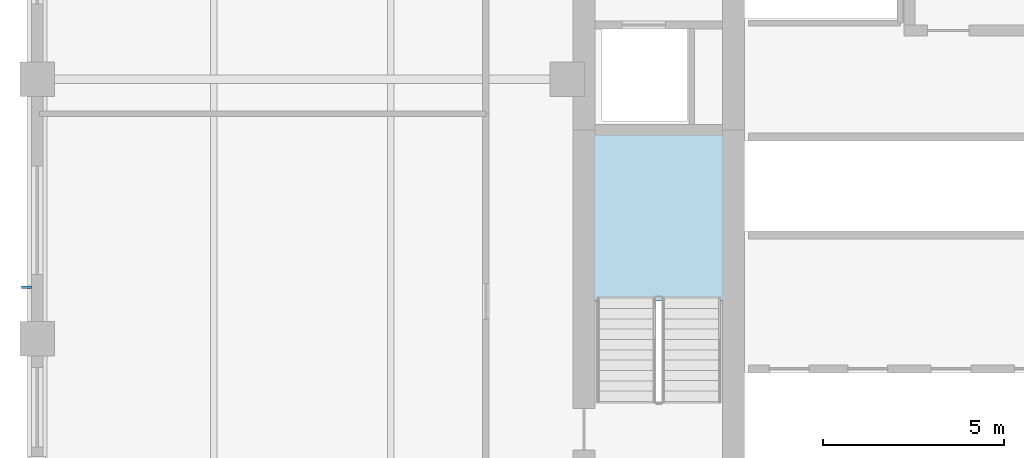
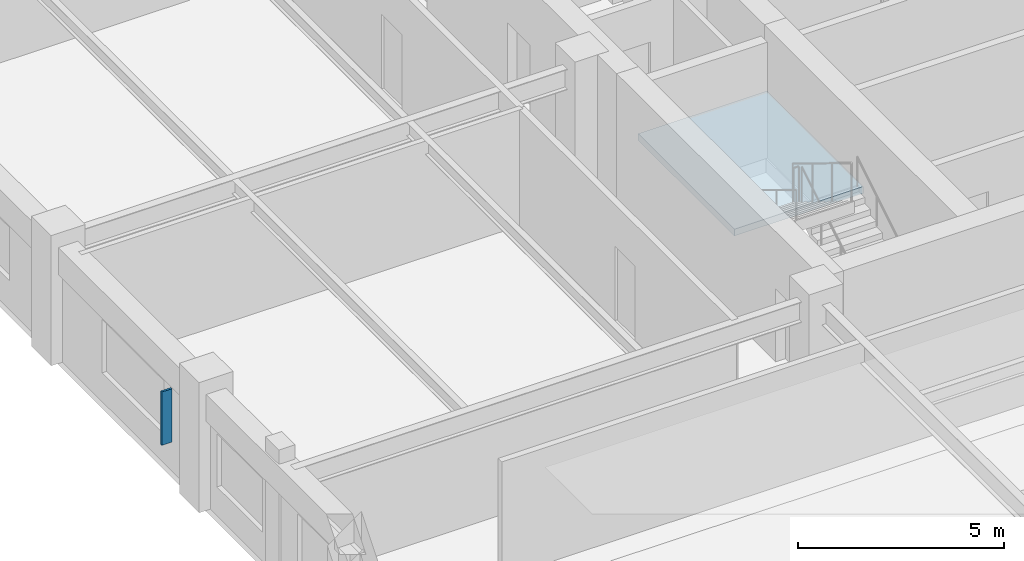
# One storey, part 2 of 12: 1 plate, 1 slab, 1 element without a shape of its own.
"""IFC4 building model written with IfcOpenShell, lengths in metres."""

from ifc_helpers import new_model, si_unit, direction, frame, origin, origin_2d, place, context, subcontext, project, spatial, polyline, rectangle, outline, extrude, material, layer, layer_set, type_object, element, aggregate, save


model = new_model("IFC4")

# Units and contexts
model_context = context("Model", 3, precision=1e-05, world=origin(), true_north=direction((0.0, 1.0)))
body_context = subcontext(model_context, "Body", "Model", "MODEL_VIEW")
ifc_project = project(units=[si_unit("LENGTHUNIT", "METRE"), si_unit("AREAUNIT", "SQUARE_METRE"), si_unit("VOLUMEUNIT", "CUBIC_METRE"), si_unit("PLANEANGLEUNIT", "RADIAN"), si_unit("MASSUNIT", "GRAM", prefix="KILO")], contexts=[model_context])

# Site, building, storey
site_placement = place(None, origin())
site = spatial("IfcSite", under=ifc_project, at=site_placement, CompositionType="ELEMENT")
building_placement = place(site_placement, origin())
building = spatial("IfcBuilding", under=site, at=building_placement, Name="Nhamokura Convention Tower", CompositionType="ELEMENT")
storey_placement = place(building_placement, frame((0.0, 0.0, 110.60009765625)))
storey = spatial("IfcBuildingStorey", under=building, at=storey_placement, Name="L26", CompositionType="ELEMENT", Elevation=110.60009765625)

# Plate
ifc_material_1 = material(Name="Anodised bronze aluminium AA6063-T6", Category="aluminium")
plate_type = type_object("IfcPlateType", Name="BronzeSolarFin_2", PredefinedType="USERDEFINED", material=ifc_material_1)
plate_placement = place(storey_placement, frame((5.699951171875, 26.254150390625, 0.849853515625), z_axis=(0.0, 0.0, 1.0), x_axis=(1.0, 0.0, 0.0)))
element("IfcPlate", 1, at=plate_placement, inside=storey, type_object=plate_type, Name="L26 Bronze Solar Shading Fin WEST 2", ObjectType="SOLAR_FIN", PredefinedType="USERDEFINED", context=body_context, shape_type="SweptSolid", body=[
    extrude(rectangle(XDim=0.280029296875, YDim=0.06005859375, at=origin_2d()), origin(), (0.0, 0.0, 1.0), 1.580078125),
])

# Stair, slab
ifc_material_2 = material(Name="Concrete C40/50", Category="concrete")
stair_type = type_object("IfcStairType", Name="TowerCoreStair_1650", PredefinedType="HALF_TURN_STAIR", material=ifc_material_2)
stair_placement = place(storey_placement, origin())
stair = element("IfcStair", 2, at=stair_placement, inside=storey, type_object=stair_type, Name="L26 West Core Smokeproof Stair ST-01", PredefinedType="HALF_TURN_STAIR")
ifc_material_3 = material(Name="Concrete C40/50", Category="concrete")
ifc_layer = layer(ifc_material_3, 0.199951171875)
ifc_layer_set = layer_set([ifc_layer], Name="StairLandingSlab_200")
slab_type = type_object("IfcSlabType", Name="StairLandingSlab_200", PredefinedType="LANDING", material=ifc_layer_set)
slab_placement = place(storey_placement, frame((0.0, 0.0, 1.724853515625)))
slab = element("IfcSlab", 3, at=slab_placement, type_object=slab_type, Name="ST-01 landing 1", PredefinedType="LANDING", context=body_context, shape_type="SweptSolid", body=[
    extrude(outline(polyline([(24.97998046875, 25.8701171875), (24.97998046875, 30.530029296875), (21.3701171875, 30.530029296875), (21.3701171875, 25.8701171875), (24.97998046875, 25.8701171875)])), origin(), (0.0, 0.0, 1.0), 0.199951171875),
])
aggregate(stair, [slab])

save(model, "model.ifc")
